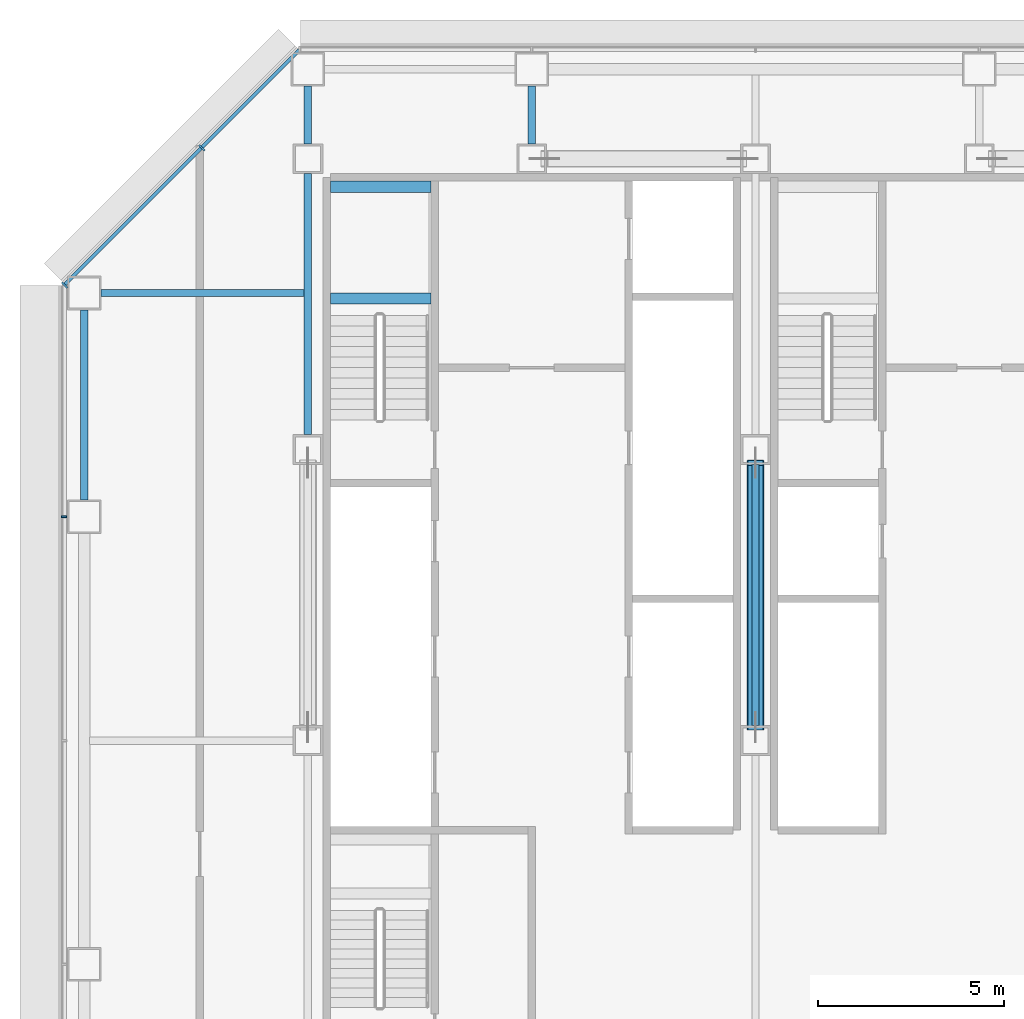
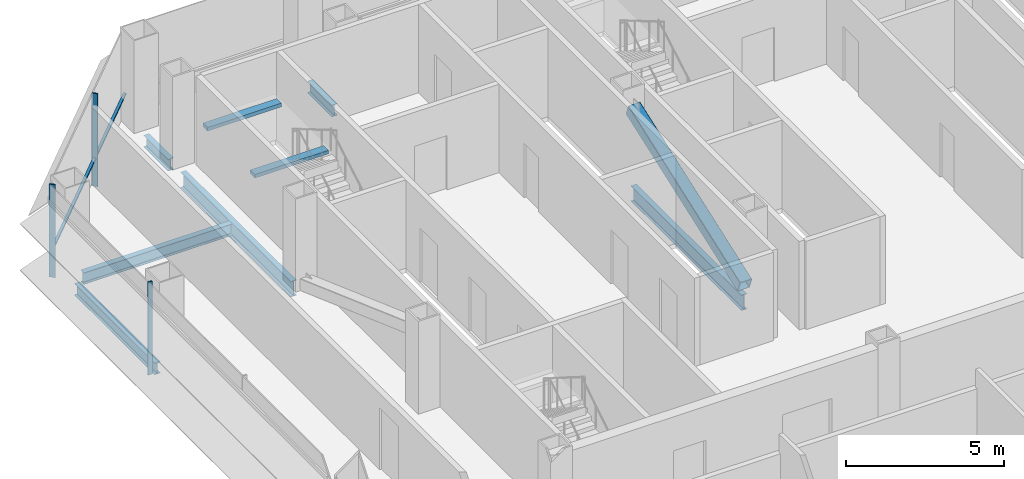
# One storey, part 11 of 27: 8 beams, 5 members, 2 elements without a shape of their own.
"""IFC4 building model written with IfcOpenShell, lengths in metres."""

from ifc_helpers import new_model, si_unit, direction, frame, origin, origin_2d, place, context, subcontext, project, spatial, rectangle, hollow_rectangle, i_section, extrude, material, material_profile, profile_set, type_object, element, aggregate, save


model = new_model("IFC4")

# Units and contexts
model_context = context("Model", 3, precision=1e-05, world=origin(), true_north=direction((0.0, 1.0)))
body_context = subcontext(model_context, "Body", "Model", "MODEL_VIEW")
ifc_project = project(units=[si_unit("LENGTHUNIT", "METRE"), si_unit("AREAUNIT", "SQUARE_METRE"), si_unit("VOLUMEUNIT", "CUBIC_METRE"), si_unit("PLANEANGLEUNIT", "RADIAN"), si_unit("MASSUNIT", "GRAM", prefix="KILO")], contexts=[model_context])

# Site, building, storey
site_placement = place(None, origin())
site = spatial("IfcSite", under=ifc_project, at=site_placement, CompositionType="ELEMENT")
building_placement = place(site_placement, origin())
building = spatial("IfcBuilding", under=site, at=building_placement, Name="Sorahane Residences", CompositionType="ELEMENT")
storey_placement = place(building_placement, frame((0.0, 0.0, 75.0)))
storey = spatial("IfcBuildingStorey", under=building, at=storey_placement, Name="L15", CompositionType="ELEMENT", Elevation=75.0)

# Member
ifc_material_1 = material(Name="Steel Q355B", Category="steel")
ifc_material_profile_1 = material_profile(ifc_material_1, hollow_rectangle(XDim=0.449951171875, YDim=0.449951171875, WallThickness=0.02197265625, InnerFilletRadius=0.010986328125, OuterFilletRadius=0.032958984375, at=origin_2d()), Name="RHS 450x450x22")
ifc_profile_set_1 = profile_set([ifc_material_profile_1], Name="Steel Q355B")
member_type_1 = type_object("IfcMemberType", Name="Core brace RHS 450x450x22 Q355B", PredefinedType="BRACE", material=ifc_profile_set_1)
member_1_placement = place(storey_placement, frame((18.0, 30.354248046875, 0.20849609375), z_axis=(0.0, 0.940886586011, 0.338721762313), x_axis=(-1.0, 0.0, 0.0)))
element("IfcMember", 1, at=member_1_placement, inside=storey, type_object=member_type_1, Name="Core brace L15 x18-1", PredefinedType="BRACE", context=body_context, shape_type="SweptSolid", body=[
    extrude(hollow_rectangle(XDim=0.449951171875, YDim=0.449951171875, WallThickness=0.02197265625, InnerFilletRadius=0.010986328125, OuterFilletRadius=0.032958984375, at=origin_2d()), origin(), (0.0, 0.0, 1.0), 7.537109375),
])

# Curtain wall, member
ifc_material_2 = material(Name="Dark low-e glass and black anodised aluminium", Category="aluminium")
curtain_wall_type_1 = type_object("IfcCurtainWallType", Name="Curtain wall CW-1 Typical unitised wall", PredefinedType="NOTDEFINED", material=ifc_material_2)
curtain_wall_1_placement = place(storey_placement, origin())
curtain_wall_1 = element("IfcCurtainWall", 2, at=curtain_wall_1_placement, inside=storey, type_object=curtain_wall_type_1, Name="CW-1 curtain wall L15 W1", PredefinedType="NOTDEFINED")
ifc_material_3 = material(Name="Black anodised aluminium", Category="aluminium")
ifc_material_profile_2 = material_profile(ifc_material_3, rectangle(XDim=0.159912109375, YDim=0.050048828125, at=origin_2d()), Name="Curtain wall mullion CW-1 black anodised aluminium 50x160")
ifc_profile_set_2 = profile_set([ifc_material_profile_2], Name="Black anodised aluminium")
member_type_2 = type_object("IfcMemberType", Name="Curtain wall mullion CW-1 black anodised aluminium 50x160", PredefinedType="MULLION", material=ifc_profile_set_2)
member_2_placement = place(storey_placement, frame((-0.5400390625, 36.0, -0.179931640625), z_axis=(0.0, 0.0, 1.0), x_axis=(-1.0, 0.0, 0.0)))
member_2 = element("IfcMember", 3, at=member_2_placement, type_object=member_type_2, Name="CW-1 mullion L15 W1.2", PredefinedType="MULLION", context=body_context, shape_type="SweptSolid", body=[
    extrude(rectangle(XDim=0.159912109375, YDim=0.050048828125, at=origin_2d()), origin(), (0.0, 0.0, 1.0), 3.599853515625),
])
aggregate(curtain_wall_1, [member_2])

# Curtain wall, members
ifc_material_4 = material(Name="Dark low-e glass and black anodised aluminium", Category="aluminium")
curtain_wall_type_2 = type_object("IfcCurtainWallType", Name="Curtain wall CW-2 Chamfer unitised wall", PredefinedType="NOTDEFINED", material=ifc_material_4)
curtain_wall_2_placement = place(storey_placement, origin())
curtain_wall_2 = element("IfcCurtainWall", 4, at=curtain_wall_2_placement, inside=storey, type_object=curtain_wall_type_2, Name="CW-2 curtain wall L15 NW1", PredefinedType="NOTDEFINED")
ifc_material_5 = material(Name="Black anodised aluminium", Category="aluminium")
ifc_material_profile_3 = material_profile(ifc_material_5, rectangle(XDim=0.199951171875, YDim=0.050048828125, at=origin_2d()), Name="Curtain wall mullion CW-2 black anodised aluminium 50x200")
ifc_profile_set_3 = profile_set([ifc_material_profile_3], Name="Black anodised aluminium")
member_type_3 = type_object("IfcMemberType", Name="Curtain wall mullion CW-2 black anodised aluminium 50x200", PredefinedType="MULLION", material=ifc_profile_set_3)
member_3_placement = place(storey_placement, frame((3.15673828125, 45.89208984375, -0.179931640625), z_axis=(0.0, 0.0, 1.0), x_axis=(-0.707106781187, 0.707106781187, 0.0)))
member_3 = element("IfcMember", 5, at=member_3_placement, type_object=member_type_3, Name="CW-2 mullion L15 NW1.2", PredefinedType="MULLION", context=body_context, shape_type="SweptSolid", body=[
    extrude(rectangle(XDim=0.199951171875, YDim=0.050048828125, at=origin_2d()), origin(), (0.0, 0.0, 1.0), 3.599853515625),
])
member_4_placement = place(storey_placement, frame((-0.525634765625, 42.209716796875, -0.179931640625), z_axis=(0.0, 0.0, 1.0), x_axis=(-0.707106781187, 0.707106781187, 0.0)))
member_4 = element("IfcMember", 6, at=member_4_placement, type_object=member_type_3, Name="CW-2 mullion L15 NW1.3", PredefinedType="MULLION", context=body_context, shape_type="SweptSolid", body=[
    extrude(rectangle(XDim=0.199951171875, YDim=0.050048828125, at=origin_2d()), origin(), (0.0, 0.0, 1.0), 3.599853515625),
])
ifc_material_6 = material(Name="Black anodised aluminium", Category="aluminium")
ifc_material_profile_4 = material_profile(ifc_material_6, rectangle(XDim=0.10009765625, YDim=0.06005859375, at=origin_2d()), Name="Curtain wall transom CW-2 black anodised aluminium 60x100")
ifc_profile_set_4 = profile_set([ifc_material_profile_4], Name="Black anodised aluminium")
member_type_4 = type_object("IfcMemberType", Name="Curtain wall transom CW-2 black anodised aluminium 60x100", PredefinedType="USERDEFINED", material=ifc_profile_set_4)
member_5_placement = place(storey_placement, frame((5.765625, 48.51513671875, 0.89990234375), z_axis=(-0.707106781187, -0.707106781187, 0.0), x_axis=(0.707106781187, -0.707106781187, 0.0)))
member_5 = element("IfcMember", 7, at=member_5_placement, type_object=member_type_4, Name="CW-2 transom L15 NW1", ObjectType="TRANSOM", PredefinedType="USERDEFINED", context=body_context, shape_type="SweptSolid", body=[
    extrude(rectangle(XDim=0.10009765625, YDim=0.06005859375, at=origin_2d()), origin(), (0.0, 0.0, 1.0), 8.88232421875),
])
aggregate(curtain_wall_2, [member_3, member_4, member_5])

# Beams
ifc_material_7 = material(Name="Concrete C40", Category="concrete")
ifc_material_profile_5 = material_profile(ifc_material_7, rectangle(XDim=0.300048828125, YDim=0.139892578125, at=origin_2d()), Name="300x140")
ifc_profile_set_5 = profile_set([ifc_material_profile_5], Name="Concrete C40")
beam_type_1 = type_object("IfcBeamType", Name="RC landing beam 300 x 140 Concrete C40", PredefinedType="BEAM", material=ifc_profile_set_5)
for number, where, z_axis, x_axis, name in (
    (8, (6.60009765625, 41.85009765625, 1.530029296875), (1.0, 0.0, 0.0), (0.0, 1.0, 0.0), "Landing beam"),
    (9, (6.60009765625, 44.85009765625, 1.530029296875), (1.0, 0.0, 0.0), (0.0, 1.0, 0.0), "Landing beam"),
):
    element("IfcBeam", number, at=place(storey_placement, frame(where, z_axis=z_axis, x_axis=x_axis)), inside=storey, type_object=beam_type_1, Name=name, PredefinedType="BEAM", context=body_context, shape_type="SweptSolid", body=[
        extrude(rectangle(XDim=0.300048828125, YDim=0.139892578125, at=origin_2d()), origin(), (0.0, 0.0, 1.0), 2.699951171875),
    ])
ifc_material_8 = material(Name="Steel Q355B", Category="steel")
ifc_material_profile_6 = material_profile(ifc_material_8, i_section(OverallWidth=0.199951171875, OverallDepth=0.449951171875, WebThickness=0.009033203125, FlangeThickness=0.013916015625, FilletRadius=0.02001953125, at=origin_2d()), Name="HN 450x200x9x14")
ifc_profile_set_6 = profile_set([ifc_material_profile_6], Name="Steel Q355B")
beam_type_2 = type_object("IfcBeamType", Name="Steel floor beam HN 450x200x9x14 Q355B", PredefinedType="BEAM", material=ifc_profile_set_6)
beam_1_placement = place(storey_placement, frame((0.0, 36.449951171875, -0.405029296875), z_axis=(0.0, 1.0, 0.0), x_axis=(-1.0, 0.0, 0.0)))
element("IfcBeam", 10, at=beam_1_placement, inside=storey, type_object=beam_type_2, Name="Beam L15 020", PredefinedType="BEAM", context=body_context, shape_type="SweptSolid", body=[
    extrude(i_section(OverallWidth=0.199951171875, OverallDepth=0.449951171875, WebThickness=0.009033203125, FlangeThickness=0.013916015625, FilletRadius=0.02001953125, at=origin_2d()), origin(), (0.0, 0.0, 1.0), 5.10009765625),
])
for number, where, z_axis, x_axis, name in (
    (11, (6.0, 46.0, -0.405029296875), (0.0, 1.0, 0.0), (-1.0, 0.0, 0.0), "Beam L15 026"),
    (12, (12.0, 46.0, -0.405029296875), (0.0, 1.0, 0.0), (-1.0, 0.0, 0.0), "Beam L15 028"),
):
    element("IfcBeam", number, at=place(storey_placement, frame(where, z_axis=z_axis, x_axis=x_axis)), inside=storey, type_object=beam_type_2, Name=name, PredefinedType="BEAM", context=body_context, shape_type="SweptSolid", body=[
        extrude(i_section(OverallWidth=0.199951171875, OverallDepth=0.449951171875, WebThickness=0.009033203125, FlangeThickness=0.013916015625, FilletRadius=0.02001953125, at=origin_2d()), origin(), (0.0, 0.0, 1.0), 1.550048828125),
    ])
beam_2_placement = place(storey_placement, frame((0.449951171875, 42.0, -0.405029296875), z_axis=(1.0, 0.0, 0.0), x_axis=(0.0, 1.0, 0.0)))
element("IfcBeam", 13, at=beam_2_placement, inside=storey, type_object=beam_type_2, Name="Beam L15 079", PredefinedType="BEAM", context=body_context, shape_type="SweptSolid", body=[
    extrude(i_section(OverallWidth=0.199951171875, OverallDepth=0.449951171875, WebThickness=0.009033203125, FlangeThickness=0.013916015625, FilletRadius=0.02001953125, at=origin_2d()), origin(), (0.0, 0.0, 1.0), 5.449951171875),
])
ifc_material_9 = material(Name="Steel Q355B", Category="steel")
ifc_material_profile_7 = material_profile(ifc_material_9, i_section(OverallWidth=0.199951171875, OverallDepth=0.60009765625, WebThickness=0.010986328125, FlangeThickness=0.01708984375, FilletRadius=0.02392578125, at=origin_2d()), Name="HN 600x200x11x17")
ifc_profile_set_7 = profile_set([ifc_material_profile_7], Name="Steel Q355B")
beam_type_3 = type_object("IfcBeamType", Name="Steel floor beam HN 600x200x11x17 Q355B", PredefinedType="BEAM", material=ifc_profile_set_7)
for number, where, z_axis, x_axis, name in (
    (14, (6.0, 38.199951171875, -0.47998046875), (0.0, 1.0, 0.0), (-1.0, 0.0, 0.0), "Beam L15 025"),
    (15, (18.0, 30.39990234375, -0.47998046875), (0.0, 1.0, 0.0), (-1.0, 0.0, 0.0), "Beam L15 032"),
):
    element("IfcBeam", number, at=place(storey_placement, frame(where, z_axis=z_axis, x_axis=x_axis)), inside=storey, type_object=beam_type_3, Name=name, PredefinedType="BEAM", context=body_context, shape_type="SweptSolid", body=[
        extrude(i_section(OverallWidth=0.199951171875, OverallDepth=0.60009765625, WebThickness=0.010986328125, FlangeThickness=0.01708984375, FilletRadius=0.02392578125, at=origin_2d()), origin(), (0.0, 0.0, 1.0), 7.0),
    ])

save(model, "model.ifc")
